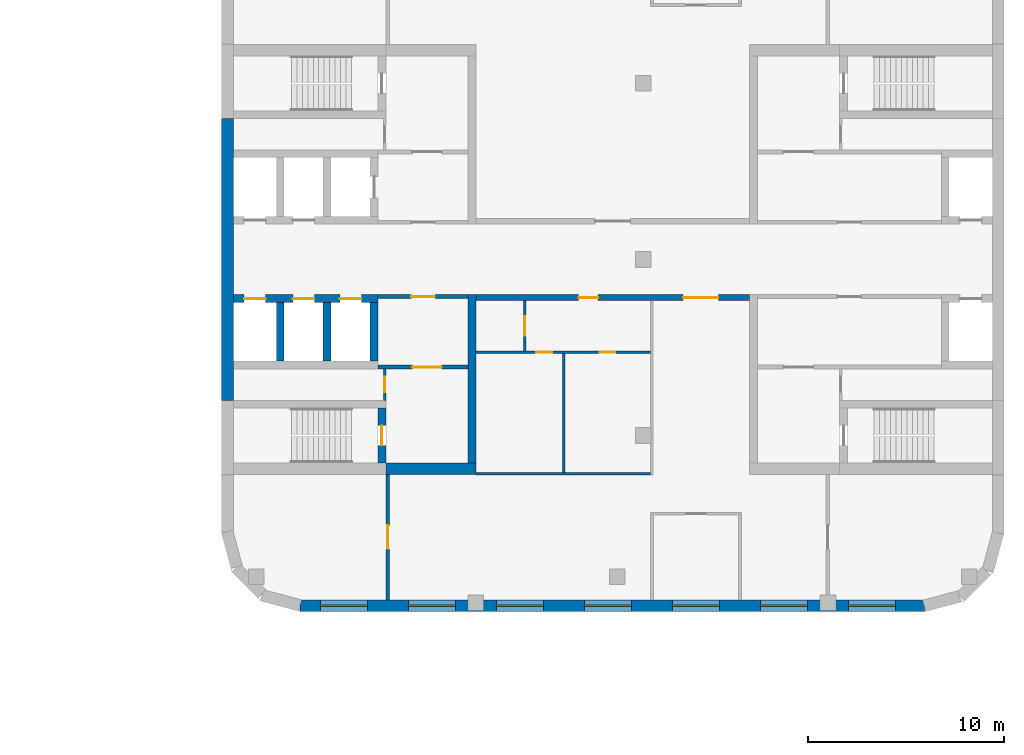
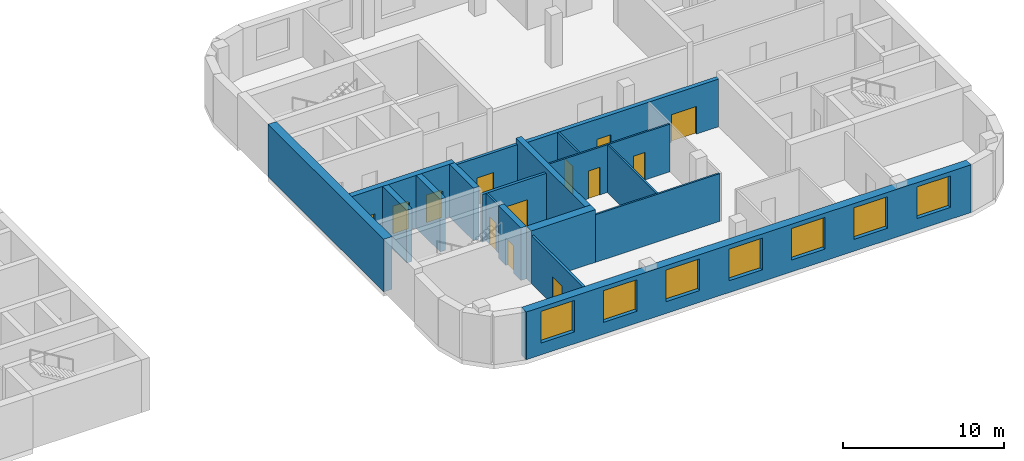
# One storey, part 7 of 12: 18 walls, 13 doors, 7 windows, 20 openings.
"""IFC4 building model written with IfcOpenShell, lengths in metres."""

from ifc_helpers import new_model, si_unit, direction, frame, frame_2d, origin, place, context, subcontext, project, spatial, rectangle, extrude, material, layer, layer_set, type_object, element, fill, save


model = new_model("IFC4")

# Units and contexts
model_context = context("Model", 3, precision=1e-05, world=origin(), true_north=direction((0.0, 1.0)))
body_context = subcontext(model_context, "Body", "Model", "MODEL_VIEW")
ifc_project = project(units=[si_unit("LENGTHUNIT", "METRE"), si_unit("AREAUNIT", "SQUARE_METRE"), si_unit("VOLUMEUNIT", "CUBIC_METRE"), si_unit("PLANEANGLEUNIT", "RADIAN"), si_unit("MASSUNIT", "GRAM", prefix="KILO")], contexts=[model_context])

# Site, building, storey
site_placement = place(None, origin())
site = spatial("IfcSite", under=ifc_project, at=site_placement, CompositionType="ELEMENT")
building_placement = place(site_placement, origin())
building = spatial("IfcBuilding", under=site, at=building_placement, Name="Skarvind Civic Tower", CompositionType="ELEMENT")
storey_placement = place(building_placement, frame((0.0, 0.0, 39.5)))
storey = spatial("IfcBuildingStorey", under=building, at=storey_placement, Name="L08", CompositionType="ELEMENT", Elevation=39.5)

# Wall, opening, door
ifc_material_1 = material(Name="Acoustic gypsum board on steel studs", Category="steel")
ifc_layer_1 = layer(ifc_material_1, 0.175048828125)
ifc_layer_set_1 = layer_set([ifc_layer_1], Name="ACOUSTIC MEETING-ROOM PARTITION 175")
wall_type_1 = type_object("IfcWallType", Name="ACOUSTIC MEETING-ROOM PARTITION 175", PredefinedType="PARTITIONING", material=ifc_layer_set_1)
wall_1_placement = place(storey_placement, frame((135.5, 117.0, 0.0), z_axis=(0.0, 0.0, 1.0), x_axis=(0.0, -1.0, 0.0)))
wall_1 = element("IfcWall", 1, at=wall_1_placement, inside=storey, type_object=wall_type_1, Name="Partition 08.001", PredefinedType="PARTITIONING", context=body_context, shape_type="SweptSolid", body=[
    extrude(rectangle(XDim=6.39990234375, YDim=0.175048828125, at=frame_2d((3.199951171875, 0.0))), origin(), (0.0, 0.0, 1.0), 3.625),
])
opening_1_placement = place(wall_1_placement, frame((2.60009765625, 0.0, 0.0)))
opening_1 = element("IfcOpeningElement", 2, at=opening_1_placement, cuts=wall_1, Name="Opening L08-D111", PredefinedType="OPENING", context=body_context, shape_type="SweptSolid", body=[
    extrude(rectangle(XDim=1.199951171875, YDim=2.10009765625, at=frame_2d((0.60009765625, 1.050048828125))), frame((0.0, 0.097412109375, 0.0), z_axis=(0.0, -1.0, 0.0), x_axis=(1.0, 0.0, 0.0)), (0.0, 0.0, 1.0), 0.195068359375),
])
ifc_material_2 = material(Name="Timber door leaf", Category="wood")
door_type_1 = type_object("IfcDoorType", Name="DOOR 1200X2100 DOUBLE TIMBER", OperationType="NOTDEFINED", PredefinedType="DOOR", material=ifc_material_2)
door_1_placement = place(opening_1_placement, origin())
door_1 = element("IfcDoor", 3, at=door_1_placement, inside=storey, type_object=door_type_1, Name="Door L08-D111", OperationType="DOUBLE_DOOR_SINGLE_SWING", OverallHeight=2.10009765625, OverallWidth=1.199951171875, PredefinedType="DOOR", context=body_context, shape_type="SweptSolid", body=[
    extrude(rectangle(XDim=1.199951171875, YDim=2.10009765625, at=frame_2d((0.60009765625, 1.050048828125))), frame((0.0, 0.02490234375, 0.0), z_axis=(0.0, -1.0, 0.0), x_axis=(1.0, 0.0, 0.0)), (0.0, 0.0, 1.0), 0.050048828125),
])
fill(opening_1, door_1)

# Wall, openings, doors
ifc_material_3 = material(Name="Fire-rated gypsum board on steel studs", Category="steel")
ifc_layer_2 = layer(ifc_material_3, 0.300048828125)
ifc_layer_set_2 = layer_set([ifc_layer_2], Name="CORRIDOR WALL 300")
wall_type_2 = type_object("IfcWallType", Name="CORRIDOR WALL 300", PredefinedType="PARTITIONING", material=ifc_layer_set_2)
wall_2_placement = place(storey_placement, frame((154.0, 126.050048828125, 0.0), z_axis=(0.0, 0.0, 1.0), x_axis=(-1.0, 0.0, 0.0)))
wall_2 = element("IfcWall", 4, at=wall_2_placement, inside=storey, type_object=wall_type_2, Name="Partition 08.015", PredefinedType="PARTITIONING", context=body_context, shape_type="SweptSolid", body=[
    extrude(rectangle(XDim=14.0, YDim=0.300048828125, at=frame_2d((7.0, 0.0))), origin(), (0.0, 0.0, 1.0), 3.625),
])
opening_2_placement = place(wall_2_placement, frame((7.75, 0.0, 0.0)))
opening_2 = element("IfcOpeningElement", 5, at=opening_2_placement, cuts=wall_2, Name="Opening L08-D105", PredefinedType="OPENING", context=body_context, shape_type="SweptSolid", body=[
    extrude(rectangle(XDim=1.0, YDim=2.10009765625, at=frame_2d((0.5, 1.050048828125))), frame((0.0, 0.159912109375, 0.0), z_axis=(0.0, -1.0, 0.0), x_axis=(1.0, 0.0, 0.0)), (0.0, 0.0, 1.0), 0.320068359375),
])
opening_3_placement = place(wall_2_placement, frame((1.60009765625, 0.0, 0.0)))
opening_3 = element("IfcOpeningElement", 6, at=opening_3_placement, cuts=wall_2, Name="Opening L08-D109", PredefinedType="OPENING", context=body_context, shape_type="SweptSolid", body=[
    extrude(rectangle(XDim=1.800048828125, YDim=2.10009765625, at=frame_2d((0.89990234375, 1.050048828125))), frame((0.0, 0.159912109375, 0.0), z_axis=(0.0, -1.0, 0.0), x_axis=(1.0, 0.0, 0.0)), (0.0, 0.0, 1.0), 0.320068359375),
])
ifc_material_4 = material(Name="Fire-rated timber door leaf", Category="wood")
door_type_2 = type_object("IfcDoorType", Name="FD1 1000x2100", OperationType="NOTDEFINED", PredefinedType="DOOR", material=ifc_material_4)
door_2_placement = place(opening_2_placement, origin())
door_2 = element("IfcDoor", 7, at=door_2_placement, inside=storey, type_object=door_type_2, Name="Door L08-D105", OperationType="SINGLE_SWING_RIGHT", OverallHeight=2.10009765625, OverallWidth=1.0, PredefinedType="DOOR", context=body_context, shape_type="SweptSolid", body=[
    extrude(rectangle(XDim=1.0, YDim=2.10009765625, at=frame_2d((0.5, 1.050048828125))), frame((0.0, 0.02490234375, 0.0), z_axis=(0.0, -1.0, 0.0), x_axis=(1.0, 0.0, 0.0)), (0.0, 0.0, 1.0), 0.050048828125),
])
fill(opening_2, door_2)
door_type_3 = type_object("IfcDoorType", Name="FD4 1800x2100", OperationType="NOTDEFINED", PredefinedType="DOOR", material=ifc_material_4)
door_3_placement = place(opening_3_placement, origin())
door_3 = element("IfcDoor", 8, at=door_3_placement, inside=storey, type_object=door_type_3, Name="Door L08-D109", OperationType="DOUBLE_DOOR_SINGLE_SWING", OverallHeight=2.10009765625, OverallWidth=1.800048828125, PredefinedType="DOOR", context=body_context, shape_type="SweptSolid", body=[
    extrude(rectangle(XDim=1.800048828125, YDim=2.10009765625, at=frame_2d((0.89990234375, 1.050048828125))), frame((0.0, 0.02490234375, 0.0), z_axis=(0.0, -1.0, 0.0), x_axis=(1.0, 0.0, 0.0)), (0.0, 0.0, 1.0), 0.050048828125),
])
fill(opening_3, door_3)

# Wall, opening, door
ifc_material_5 = material(Name="Fire-rated masonry partition", Category="masonry")
ifc_layer_3 = layer(ifc_material_5, 0.199951171875)
ifc_layer_set_3 = layer_set([ifc_layer_3], Name="Core enclosure wall 200")
wall_type_3 = type_object("IfcWallType", Name="Core enclosure wall 200", PredefinedType="PARTITIONING", material=ifc_layer_set_3)
wall_3_placement = place(storey_placement, frame((139.60009765625, 126.10009765625, 0.0), z_axis=(0.0, 0.0, 1.0), x_axis=(-1.0, 0.0, 0.0)))
wall_3 = element("IfcWall", 9, at=wall_3_placement, inside=storey, type_object=wall_type_3, Name="Core wall CA", PredefinedType="PARTITIONING", context=body_context, shape_type="SweptSolid", body=[
    extrude(rectangle(XDim=4.60009765625, YDim=0.199951171875, at=frame_2d((2.300048828125, 0.0))), origin(), (0.0, 0.0, 1.0), 3.625),
])
opening_4_placement = place(wall_3_placement, frame((1.699951171875, 0.0, 0.0)))
opening_4 = element("IfcOpeningElement", 10, at=opening_4_placement, cuts=wall_3, Name="Opening D-L08-CA-10", PredefinedType="OPENING", context=body_context, shape_type="SweptSolid", body=[
    extrude(rectangle(XDim=1.199951171875, YDim=2.10009765625, at=frame_2d((0.60009765625, 1.050048828125))), frame((0.0, 0.10986328125, 0.0), z_axis=(0.0, -1.0, 0.0), x_axis=(1.0, 0.0, 0.0)), (0.0, 0.0, 1.0), 0.219970703125),
])
ifc_material_6 = material(Name="Fire-rated steel door", Category="steel")
door_type_4 = type_object("IfcDoorType", Name="Core lobby door 1200", OperationType="NOTDEFINED", PredefinedType="DOOR", material=ifc_material_6)
door_4_placement = place(opening_4_placement, origin())
door_4 = element("IfcDoor", 11, at=door_4_placement, inside=storey, type_object=door_type_4, Name="Fire door", OperationType="DOUBLE_DOOR_SINGLE_SWING", OverallHeight=2.10009765625, OverallWidth=1.199951171875, PredefinedType="DOOR", context=body_context, shape_type="SweptSolid", body=[
    extrude(rectangle(XDim=1.199951171875, YDim=2.10009765625, at=frame_2d((0.60009765625, 1.050048828125))), frame((0.0, 0.02490234375, 0.0), z_axis=(0.0, -1.0, 0.0), x_axis=(1.0, 0.0, 0.0)), (0.0, 0.0, 1.0), 0.050048828125),
])
fill(opening_4, door_4)

wall_4_placement = place(storey_placement, frame((139.60009765625, 122.5, 0.0), z_axis=(0.0, 0.0, 1.0), x_axis=(-1.0, 0.0, 0.0)))
wall_4 = element("IfcWall", 12, at=wall_4_placement, inside=storey, type_object=wall_type_3, Name="Core wall CA", PredefinedType="PARTITIONING", context=body_context, shape_type="SweptSolid", body=[
    extrude(rectangle(XDim=4.60009765625, YDim=0.199951171875, at=frame_2d((2.300048828125, 0.0))), origin(), (0.0, 0.0, 1.0), 3.625),
])
opening_5_placement = place(wall_4_placement, frame((1.35009765625, 0.0, 0.0)))
opening_5 = element("IfcOpeningElement", 13, at=opening_5_placement, cuts=wall_4, Name="Opening D-L08-CA-11", PredefinedType="OPENING", context=body_context, shape_type="SweptSolid", body=[
    extrude(rectangle(XDim=1.5, YDim=2.10009765625, at=frame_2d((0.75, 1.050048828125))), frame((0.0, 0.10986328125, 0.0), z_axis=(0.0, -1.0, 0.0), x_axis=(1.0, 0.0, 0.0)), (0.0, 0.0, 1.0), 0.219970703125),
])
door_type_5 = type_object("IfcDoorType", Name="Fire door 1500", OperationType="NOTDEFINED", PredefinedType="DOOR", material=ifc_material_6)
door_5_placement = place(opening_5_placement, origin())
door_5 = element("IfcDoor", 14, at=door_5_placement, inside=storey, type_object=door_type_5, Name="Fire door", OperationType="DOUBLE_DOOR_SINGLE_SWING", OverallHeight=2.10009765625, OverallWidth=1.5, PredefinedType="DOOR", context=body_context, shape_type="SweptSolid", body=[
    extrude(rectangle(XDim=1.5, YDim=2.10009765625, at=frame_2d((0.75, 1.050048828125))), frame((0.0, 0.02490234375, 0.0), z_axis=(0.0, -1.0, 0.0), x_axis=(1.0, 0.0, 0.0)), (0.0, 0.0, 1.0), 0.050048828125),
])
fill(opening_5, door_5)

ifc_material_7 = material(Name="Concrete C80", Category="concrete")
ifc_layer_4 = layer(ifc_material_7, 0.39990234375)
ifc_layer_set_4 = layer_set([ifc_layer_4], Name="Core wall 400 C80")
wall_type_4 = type_object("IfcWallType", Name="Core wall 400 C80", PredefinedType="SHEAR", material=ifc_layer_set_4)
wall_5_placement = place(storey_placement, frame((135.199951171875, 117.60009765625, 0.0), z_axis=(0.0, 0.0, 1.0), x_axis=(0.0, 1.0, 0.0)))
wall_5 = element("IfcWall", 15, at=wall_5_placement, inside=storey, type_object=wall_type_4, Name="Core wall CA south stair end L08", PredefinedType="SHEAR", context=body_context, shape_type="SweptSolid", body=[
    extrude(rectangle(XDim=2.7998046875, YDim=0.39990234375, at=frame_2d((1.39990234375, 0.0))), origin(), (0.0, 0.0, 1.0), 4.0),
])
opening_6_placement = place(wall_5_placement, frame((0.89990234375, 0.0, 0.0)))
opening_6 = element("IfcOpeningElement", 16, at=opening_6_placement, cuts=wall_5, Name="Opening D-L08-CA-12", PredefinedType="OPENING", context=body_context, shape_type="SweptSolid", body=[
    extrude(rectangle(XDim=1.0, YDim=2.10009765625, at=frame_2d((0.5, 1.050048828125))), frame((0.0, 0.2099609375, 0.0), z_axis=(0.0, -1.0, 0.0), x_axis=(1.0, 0.0, 0.0)), (0.0, 0.0, 1.0), 0.419921875),
])
door_type_6 = type_object("IfcDoorType", Name="Fire door 1000", OperationType="NOTDEFINED", PredefinedType="DOOR", material=ifc_material_6)
door_6_placement = place(opening_6_placement, origin())
door_6 = element("IfcDoor", 17, at=door_6_placement, inside=storey, type_object=door_type_6, Name="Fire door", OperationType="SINGLE_SWING_RIGHT", OverallHeight=2.10009765625, OverallWidth=1.0, PredefinedType="DOOR", context=body_context, shape_type="SweptSolid", body=[
    extrude(rectangle(XDim=1.0, YDim=2.10009765625, at=frame_2d((0.5, 1.050048828125))), frame((0.0, 0.02490234375, 0.0), z_axis=(0.0, -1.0, 0.0), x_axis=(1.0, 0.0, 0.0)), (0.0, 0.0, 1.0), 0.050048828125),
])
fill(opening_6, door_6)

# Wall, openings, doors
wall_6_placement = place(storey_placement, frame((127.60009765625, 126.0, 0.0), z_axis=(0.0, 0.0, 1.0), x_axis=(1.0, 0.0, 0.0)))
wall_6 = element("IfcWall", 18, at=wall_6_placement, inside=storey, type_object=wall_type_4, Name="Core wall CA south lift row front L08", PredefinedType="SHEAR", context=body_context, shape_type="SweptSolid", body=[
    extrude(rectangle(XDim=7.39990234375, YDim=0.39990234375, at=frame_2d((3.699951171875, 0.0))), origin(), (0.0, 0.0, 1.0), 4.0),
])
opening_7_placement = place(wall_6_placement, frame((0.550048828125, 0.0, 0.0)))
opening_7 = element("IfcOpeningElement", 19, at=opening_7_placement, cuts=wall_6, Name="Opening LD10304", PredefinedType="OPENING", context=body_context, shape_type="SweptSolid", body=[
    extrude(rectangle(XDim=1.10009765625, YDim=2.10009765625, at=frame_2d((0.550048828125, 1.050048828125))), frame((0.0, 0.2099609375, 0.0), z_axis=(0.0, -1.0, 0.0), x_axis=(1.0, 0.0, 0.0)), (0.0, 0.0, 1.0), 0.419921875),
])
opening_8_placement = place(wall_6_placement, frame((3.050048828125, 0.0, 0.0)))
opening_8 = element("IfcOpeningElement", 20, at=opening_8_placement, cuts=wall_6, Name="Opening LD10305", PredefinedType="OPENING", context=body_context, shape_type="SweptSolid", body=[
    extrude(rectangle(XDim=1.10009765625, YDim=2.10009765625, at=frame_2d((0.550048828125, 1.050048828125))), frame((0.0, 0.2099609375, 0.0), z_axis=(0.0, -1.0, 0.0), x_axis=(1.0, 0.0, 0.0)), (0.0, 0.0, 1.0), 0.419921875),
])
opening_9_placement = place(wall_6_placement, frame((5.449951171875, 0.0, 0.0)))
opening_9 = element("IfcOpeningElement", 21, at=opening_9_placement, cuts=wall_6, Name="Opening LD10306", PredefinedType="OPENING", context=body_context, shape_type="SweptSolid", body=[
    extrude(rectangle(XDim=1.10009765625, YDim=2.10009765625, at=frame_2d((0.550048828125, 1.050048828125))), frame((0.0, 0.2099609375, 0.0), z_axis=(0.0, -1.0, 0.0), x_axis=(1.0, 0.0, 0.0)), (0.0, 0.0, 1.0), 0.419921875),
])
ifc_material_8 = material(Name="Stainless steel landing door", Category="steel")
door_type_7 = type_object("IfcDoorType", Name="Lift landing door 1100", OperationType="DOUBLE_DOOR_SLIDING", PredefinedType="DOOR", material=ifc_material_8)
door_7_placement = place(opening_7_placement, origin())
door_7 = element("IfcDoor", 22, at=door_7_placement, inside=storey, type_object=door_type_7, Name="Lift landing door", OperationType="DOUBLE_DOOR_SLIDING", OverallHeight=2.10009765625, OverallWidth=1.10009765625, PredefinedType="DOOR", context=body_context, shape_type="SweptSolid", body=[
    extrude(rectangle(XDim=1.10009765625, YDim=2.10009765625, at=frame_2d((0.550048828125, 1.050048828125))), frame((0.0, 0.02490234375, 0.0), z_axis=(0.0, -1.0, 0.0), x_axis=(1.0, 0.0, 0.0)), (0.0, 0.0, 1.0), 0.050048828125),
])
fill(opening_7, door_7)
door_8_placement = place(opening_8_placement, origin())
door_8 = element("IfcDoor", 23, at=door_8_placement, inside=storey, type_object=door_type_7, Name="Lift landing door", OperationType="DOUBLE_DOOR_SLIDING", OverallHeight=2.10009765625, OverallWidth=1.10009765625, PredefinedType="DOOR", context=body_context, shape_type="SweptSolid", body=[
    extrude(rectangle(XDim=1.10009765625, YDim=2.10009765625, at=frame_2d((0.550048828125, 1.050048828125))), frame((0.0, 0.02490234375, 0.0), z_axis=(0.0, -1.0, 0.0), x_axis=(1.0, 0.0, 0.0)), (0.0, 0.0, 1.0), 0.050048828125),
])
fill(opening_8, door_8)
door_9_placement = place(opening_9_placement, origin())
door_9 = element("IfcDoor", 24, at=door_9_placement, inside=storey, type_object=door_type_7, Name="Lift landing door", OperationType="DOUBLE_DOOR_SLIDING", OverallHeight=2.10009765625, OverallWidth=1.10009765625, PredefinedType="DOOR", context=body_context, shape_type="SweptSolid", body=[
    extrude(rectangle(XDim=1.10009765625, YDim=2.10009765625, at=frame_2d((0.550048828125, 1.050048828125))), frame((0.0, 0.02490234375, 0.0), z_axis=(0.0, -1.0, 0.0), x_axis=(1.0, 0.0, 0.0)), (0.0, 0.0, 1.0), 0.050048828125),
])
fill(opening_9, door_9)

# Walls
for number, where, z_axis, x_axis, name in (
    (25, (130.0, 122.800048828125, 0.0), (0.0, 0.0, 1.0), (0.0, 1.0, 0.0), "Core wall CA south lift row division 1 L08"),
    (26, (132.39990234375, 122.800048828125, 0.0), (0.0, 0.0, 1.0), (0.0, 1.0, 0.0), "Core wall CA south lift row division 2 L08"),
    (27, (134.800048828125, 122.800048828125, 0.0), (0.0, 0.0, 1.0), (0.0, 1.0, 0.0), "Core wall CA south lift row division 3 L08"),
):
    element("IfcWall", number, at=place(storey_placement, frame(where, z_axis=z_axis, x_axis=x_axis)), inside=storey, type_object=wall_type_4, Name=name, PredefinedType="SHEAR", context=body_context, shape_type="SweptSolid", body=[
        extrude(rectangle(XDim=3.0, YDim=0.39990234375, at=frame_2d((1.5, 0.0))), origin(), (0.0, 0.0, 1.0), 4.0),
    ])
wall_7_placement = place(storey_placement, frame((139.800048828125, 117.60009765625, 0.0), z_axis=(0.0, 0.0, 1.0), x_axis=(0.0, 1.0, 0.0)))
element("IfcWall", 28, at=wall_7_placement, inside=storey, type_object=wall_type_4, Name="Core wall CA south inner face L08", PredefinedType="SHEAR", context=body_context, shape_type="SweptSolid", body=[
    extrude(rectangle(XDim=8.599853515625, YDim=0.39990234375, at=frame_2d((4.2998046875, 0.0))), origin(), (0.0, 0.0, 1.0), 4.0),
])
ifc_layer_5 = layer(ifc_material_7, 0.60009765625)
ifc_layer_set_5 = layer_set([ifc_layer_5], Name="Core wall 600 C80")
wall_type_5 = type_object("IfcWallType", Name="Core wall 600 C80", PredefinedType="SHEAR", material=ifc_layer_set_5)
wall_8_placement = place(storey_placement, frame((127.300048828125, 120.800048828125, 0.0), z_axis=(0.0, 0.0, 1.0), x_axis=(0.0, 1.0, 0.0)))
element("IfcWall", 29, at=wall_8_placement, inside=storey, type_object=wall_type_5, Name="Core wall CA tip between the stairs L08", PredefinedType="SHEAR", context=body_context, shape_type="SweptSolid", body=[
    extrude(rectangle(XDim=14.39990234375, YDim=0.60009765625, at=frame_2d((7.199951171875, 0.0))), origin(), (0.0, 0.0, 1.0), 4.0),
])
wall_9_placement = place(storey_placement, frame((135.39990234375, 117.300048828125, 0.0), z_axis=(0.0, 0.0, 1.0), x_axis=(1.0, 0.0, 0.0)))
element("IfcWall", 30, at=wall_9_placement, inside=storey, type_object=wall_type_5, Name="Core wall CA south side L08", PredefinedType="SHEAR", context=body_context, shape_type="SweptSolid", body=[
    extrude(rectangle(XDim=4.60009765625, YDim=0.60009765625, at=frame_2d((2.300048828125, 0.0))), origin(), (0.0, 0.0, 1.0), 4.0),
])

# Wall, opening, door
ifc_layer_6 = layer(ifc_material_5, 0.125)
ifc_layer_set_6 = layer_set([ifc_layer_6], Name="Riser wall 125")
wall_type_6 = type_object("IfcWallType", Name="Riser wall 125", PredefinedType="PARTITIONING", material=ifc_layer_set_6)
wall_10_placement = place(storey_placement, frame((135.33740234375, 122.39990234375, 0.0), z_axis=(0.0, 0.0, 1.0), x_axis=(0.0, -1.0, 0.0)))
wall_10 = element("IfcWall", 31, at=wall_10_placement, inside=storey, type_object=wall_type_6, Name="Core wall CA", PredefinedType="PARTITIONING", context=body_context, shape_type="SweptSolid", body=[
    extrude(rectangle(XDim=1.599853515625, YDim=0.125, at=frame_2d((0.7998046875, 0.0))), origin(), (0.0, 0.0, 1.0), 3.625),
])
opening_10_placement = place(wall_10_placement, frame((0.39990234375, 0.0, 0.0)))
opening_10 = element("IfcOpeningElement", 32, at=opening_10_placement, cuts=wall_10, Name="Opening D-L08-CA-13", PredefinedType="OPENING", context=body_context, shape_type="SweptSolid", body=[
    extrude(rectangle(XDim=0.800048828125, YDim=2.10009765625, at=frame_2d((0.39990234375, 1.050048828125))), frame((0.0, 0.072509765625, 0.0), z_axis=(0.0, -1.0, 0.0), x_axis=(1.0, 0.0, 0.0)), (0.0, 0.0, 1.0), 0.14501953125),
])
door_type_8 = type_object("IfcDoorType", Name="Core riser door 800", OperationType="NOTDEFINED", PredefinedType="DOOR", material=ifc_material_6)
door_10_placement = place(opening_10_placement, origin())
door_10 = element("IfcDoor", 33, at=door_10_placement, inside=storey, type_object=door_type_8, Name="Riser door", OperationType="SINGLE_SWING_LEFT", OverallHeight=2.10009765625, OverallWidth=0.800048828125, PredefinedType="DOOR", context=body_context, shape_type="SweptSolid", body=[
    extrude(rectangle(XDim=0.800048828125, YDim=2.10009765625, at=frame_2d((0.39990234375, 1.050048828125))), frame((0.0, 0.02490234375, 0.0), z_axis=(0.0, -1.0, 0.0), x_axis=(1.0, 0.0, 0.0)), (0.0, 0.0, 1.0), 0.050048828125),
])
fill(opening_10, door_10)

# Wall
ifc_material_9 = material(Name="Moisture-resistant gypsum board on steel studs", Category="steel")
ifc_layer_7 = layer(ifc_material_9, 0.125)
ifc_layer_set_7 = layer_set([ifc_layer_7], Name="WC PARTITION 125")
wall_type_7 = type_object("IfcWallType", Name="WC PARTITION 125", PredefinedType="PARTITIONING", material=ifc_layer_set_7)
wall_11_placement = place(storey_placement, frame((140.0, 117.050048828125, 0.0), z_axis=(0.0, 0.0, 1.0), x_axis=(1.0, 0.0, 0.0)))
element("IfcWall", 34, at=wall_11_placement, inside=storey, type_object=wall_type_7, Name="Partition 08.003", PredefinedType="PARTITIONING", context=body_context, shape_type="SweptSolid", body=[
    extrude(rectangle(XDim=8.93798828125, YDim=0.125, at=frame_2d((4.468994140625, 0.0))), origin(), (0.0, 0.0, 1.0), 3.625),
])

# Wall, openings, doors
wall_12_placement = place(storey_placement, frame((148.93798828125, 123.25, 0.0), z_axis=(0.0, 0.0, 1.0), x_axis=(-1.0, 0.0, 0.0)))
wall_12 = element("IfcWall", 35, at=wall_12_placement, inside=storey, type_object=wall_type_7, Name="Partition 08.004", PredefinedType="PARTITIONING", context=body_context, shape_type="SweptSolid", body=[
    extrude(rectangle(XDim=8.93798828125, YDim=0.125, at=frame_2d((4.468994140625, 0.0))), origin(), (0.0, 0.0, 1.0), 3.625),
])
opening_11_placement = place(wall_12_placement, frame((1.80908203125, 0.0, 0.0)))
opening_11 = element("IfcOpeningElement", 36, at=opening_11_placement, cuts=wall_12, Name="Opening L08-D107", PredefinedType="OPENING", context=body_context, shape_type="SweptSolid", body=[
    extrude(rectangle(XDim=0.800048828125, YDim=2.10009765625, at=frame_2d((0.39990234375, 1.050048828125))), frame((0.0, 0.072509765625, 0.0), z_axis=(0.0, -1.0, 0.0), x_axis=(1.0, 0.0, 0.0)), (0.0, 0.0, 1.0), 0.14501953125),
])
opening_12_placement = place(wall_12_placement, frame((5.03955078125, 0.0, 0.0)))
opening_12 = element("IfcOpeningElement", 37, at=opening_12_placement, cuts=wall_12, Name="Opening L08-D108", PredefinedType="OPENING", context=body_context, shape_type="SweptSolid", body=[
    extrude(rectangle(XDim=0.800048828125, YDim=2.10009765625, at=frame_2d((0.39990234375, 1.050048828125))), frame((0.0, 0.072509765625, 0.0), z_axis=(0.0, -1.0, 0.0), x_axis=(1.0, 0.0, 0.0)), (0.0, 0.0, 1.0), 0.14501953125),
])
door_type_9 = type_object("IfcDoorType", Name="DOOR 800X2100 TIMBER", OperationType="NOTDEFINED", PredefinedType="DOOR", material=ifc_material_2)
door_11_placement = place(opening_11_placement, origin())
door_11 = element("IfcDoor", 38, at=door_11_placement, inside=storey, type_object=door_type_9, Name="Door L08-D107", OperationType="SINGLE_SWING_LEFT", OverallHeight=2.10009765625, OverallWidth=0.800048828125, PredefinedType="DOOR", context=body_context, shape_type="SweptSolid", body=[
    extrude(rectangle(XDim=0.800048828125, YDim=2.10009765625, at=frame_2d((0.39990234375, 1.050048828125))), frame((0.0, 0.02490234375, 0.0), z_axis=(0.0, -1.0, 0.0), x_axis=(1.0, 0.0, 0.0)), (0.0, 0.0, 1.0), 0.050048828125),
])
fill(opening_11, door_11)
door_12_placement = place(opening_12_placement, origin())
door_12 = element("IfcDoor", 39, at=door_12_placement, inside=storey, type_object=door_type_9, Name="Door L08-D108", OperationType="SINGLE_SWING_LEFT", OverallHeight=2.10009765625, OverallWidth=0.800048828125, PredefinedType="DOOR", context=body_context, shape_type="SweptSolid", body=[
    extrude(rectangle(XDim=0.800048828125, YDim=2.10009765625, at=frame_2d((0.39990234375, 1.050048828125))), frame((0.0, 0.02490234375, 0.0), z_axis=(0.0, -1.0, 0.0), x_axis=(1.0, 0.0, 0.0)), (0.0, 0.0, 1.0), 0.050048828125),
])
fill(opening_12, door_12)

# Wall, opening, door
wall_13_placement = place(storey_placement, frame((142.5, 123.31201171875, 0.0), z_axis=(0.0, 0.0, 1.0), x_axis=(0.0, 1.0, 0.0)))
wall_13 = element("IfcWall", 40, at=wall_13_placement, inside=storey, type_object=wall_type_7, Name="Partition 08.006", PredefinedType="PARTITIONING", context=body_context, shape_type="SweptSolid", body=[
    extrude(rectangle(XDim=2.587890625, YDim=0.125, at=frame_2d((1.2939453125, 0.0))), origin(), (0.0, 0.0, 1.0), 3.625),
])
opening_13_placement = place(wall_13_placement, frame((0.7939453125, 0.0, 0.0)))
opening_13 = element("IfcOpeningElement", 41, at=opening_13_placement, cuts=wall_13, Name="Opening L08-D106", PredefinedType="OPENING", context=body_context, shape_type="SweptSolid", body=[
    extrude(rectangle(XDim=1.0, YDim=2.10009765625, at=frame_2d((0.5, 1.050048828125))), frame((0.0, 0.072509765625, 0.0), z_axis=(0.0, -1.0, 0.0), x_axis=(1.0, 0.0, 0.0)), (0.0, 0.0, 1.0), 0.14501953125),
])
door_type_10 = type_object("IfcDoorType", Name="D1 1000x2100", OperationType="NOTDEFINED", PredefinedType="DOOR", material=ifc_material_2)
door_13_placement = place(opening_13_placement, origin())
door_13 = element("IfcDoor", 42, at=door_13_placement, inside=storey, type_object=door_type_10, Name="Door L08-D106", OperationType="SINGLE_SWING_RIGHT", OverallHeight=2.10009765625, OverallWidth=1.0, PredefinedType="DOOR", context=body_context, shape_type="SweptSolid", body=[
    extrude(rectangle(XDim=1.0, YDim=2.10009765625, at=frame_2d((0.5, 1.050048828125))), frame((0.0, 0.02490234375, 0.0), z_axis=(0.0, -1.0, 0.0), x_axis=(1.0, 0.0, 0.0)), (0.0, 0.0, 1.0), 0.050048828125),
])
fill(opening_13, door_13)

# Wall
wall_14_placement = place(storey_placement, frame((144.5, 123.18798828125, 0.0), z_axis=(0.0, 0.0, 1.0), x_axis=(0.0, -1.0, 0.0)))
element("IfcWall", 43, at=wall_14_placement, inside=storey, type_object=wall_type_7, Name="Partition 08.007", PredefinedType="PARTITIONING", context=body_context, shape_type="SweptSolid", body=[
    extrude(rectangle(XDim=6.075927734375, YDim=0.125, at=frame_2d((3.0380859375, 0.0))), origin(), (0.0, 0.0, 1.0), 3.625),
])

# Wall, openings, windows
ifc_material_10 = material(Name="Limestone masonry cladding on insulated backing", Category="masonry")
ifc_layer_8 = layer(ifc_material_10, 0.60009765625)
ifc_layer_set_8 = layer_set([ifc_layer_8], Name="WX1 STONE FACADE WALL 600")
wall_type_8 = type_object("IfcWallType", Name="WX1 STONE FACADE WALL 600", PredefinedType="SOLIDWALL", material=ifc_layer_set_8)
wall_15_placement = place(storey_placement, frame((162.929931640625, 110.300048828125, 0.0), z_axis=(0.0, 0.0, 1.0), x_axis=(-1.0, 0.0, 0.0)))
wall_15 = element("IfcWall", 44, at=wall_15_placement, inside=storey, type_object=wall_type_8, Name="STONE FACADE WALL", PredefinedType="SOLIDWALL", context=body_context, shape_type="SweptSolid", body=[
    extrude(rectangle(XDim=31.929931640625, YDim=0.60009765625, at=frame_2d((15.96484375, 0.0))), origin(), (0.0, 0.0, 1.0), 3.625),
])
opening_14_placement = place(wall_15_placement, frame((1.47998046875, 0.0, 0.89990234375)))
opening_14 = element("IfcOpeningElement", 45, at=opening_14_placement, cuts=wall_15, Name="Opening WN9", PredefinedType="OPENING", context=body_context, shape_type="SweptSolid", body=[
    extrude(rectangle(XDim=2.39990234375, YDim=2.39990234375, at=frame_2d((1.199951171875, 1.199951171875))), frame((0.0, 0.31005859375, 0.0), z_axis=(0.0, -1.0, 0.0), x_axis=(1.0, 0.0, 0.0)), (0.0, 0.0, 1.0), 0.6201171875),
])
opening_15_placement = place(wall_15_placement, frame((5.97998046875, 0.0, 0.89990234375)))
opening_15 = element("IfcOpeningElement", 46, at=opening_15_placement, cuts=wall_15, Name="Opening WN9", PredefinedType="OPENING", context=body_context, shape_type="SweptSolid", body=[
    extrude(rectangle(XDim=2.39990234375, YDim=2.39990234375, at=frame_2d((1.199951171875, 1.199951171875))), frame((0.0, 0.31005859375, 0.0), z_axis=(0.0, -1.0, 0.0), x_axis=(1.0, 0.0, 0.0)), (0.0, 0.0, 1.0), 0.6201171875),
])
opening_16_placement = place(wall_15_placement, frame((10.47998046875, 0.0, 0.89990234375)))
opening_16 = element("IfcOpeningElement", 47, at=opening_16_placement, cuts=wall_15, Name="Opening WN9", PredefinedType="OPENING", context=body_context, shape_type="SweptSolid", body=[
    extrude(rectangle(XDim=2.39990234375, YDim=2.39990234375, at=frame_2d((1.199951171875, 1.199951171875))), frame((0.0, 0.31005859375, 0.0), z_axis=(0.0, -1.0, 0.0), x_axis=(1.0, 0.0, 0.0)), (0.0, 0.0, 1.0), 0.6201171875),
])
opening_17_placement = place(wall_15_placement, frame((14.97998046875, 0.0, 0.89990234375)))
opening_17 = element("IfcOpeningElement", 48, at=opening_17_placement, cuts=wall_15, Name="Opening WN9", PredefinedType="OPENING", context=body_context, shape_type="SweptSolid", body=[
    extrude(rectangle(XDim=2.39990234375, YDim=2.39990234375, at=frame_2d((1.199951171875, 1.199951171875))), frame((0.0, 0.31005859375, 0.0), z_axis=(0.0, -1.0, 0.0), x_axis=(1.0, 0.0, 0.0)), (0.0, 0.0, 1.0), 0.6201171875),
])
opening_18_placement = place(wall_15_placement, frame((19.47998046875, 0.0, 0.89990234375)))
opening_18 = element("IfcOpeningElement", 49, at=opening_18_placement, cuts=wall_15, Name="Opening WN9", PredefinedType="OPENING", context=body_context, shape_type="SweptSolid", body=[
    extrude(rectangle(XDim=2.39990234375, YDim=2.39990234375, at=frame_2d((1.199951171875, 1.199951171875))), frame((0.0, 0.31005859375, 0.0), z_axis=(0.0, -1.0, 0.0), x_axis=(1.0, 0.0, 0.0)), (0.0, 0.0, 1.0), 0.6201171875),
])
opening_19_placement = place(wall_15_placement, frame((23.97998046875, 0.0, 0.89990234375)))
opening_19 = element("IfcOpeningElement", 50, at=opening_19_placement, cuts=wall_15, Name="Opening WN9", PredefinedType="OPENING", context=body_context, shape_type="SweptSolid", body=[
    extrude(rectangle(XDim=2.39990234375, YDim=2.39990234375, at=frame_2d((1.199951171875, 1.199951171875))), frame((0.0, 0.31005859375, 0.0), z_axis=(0.0, -1.0, 0.0), x_axis=(1.0, 0.0, 0.0)), (0.0, 0.0, 1.0), 0.6201171875),
])
opening_20_placement = place(wall_15_placement, frame((28.47998046875, 0.0, 0.89990234375)))
opening_20 = element("IfcOpeningElement", 51, at=opening_20_placement, cuts=wall_15, Name="Opening WN9", PredefinedType="OPENING", context=body_context, shape_type="SweptSolid", body=[
    extrude(rectangle(XDim=2.39990234375, YDim=2.39990234375, at=frame_2d((1.199951171875, 1.199951171875))), frame((0.0, 0.31005859375, 0.0), z_axis=(0.0, -1.0, 0.0), x_axis=(1.0, 0.0, 0.0)), (0.0, 0.0, 1.0), 0.6201171875),
])
ifc_material_11 = material(Name="Timber frame, double glazing, timber-lined reveal", Category="wood")
window_type = type_object("IfcWindowType", Name="WN9 COMPANION TOWER WINDOW 2400 x 2400", PartitioningType="SINGLE_PANEL", PredefinedType="WINDOW", material=ifc_material_11)
window_1_placement = place(opening_14_placement, origin())
window_1 = element("IfcWindow", 52, at=window_1_placement, inside=storey, type_object=window_type, Name="WN9 WINDOW", OverallHeight=2.39990234375, OverallWidth=2.39990234375, PartitioningType="SINGLE_PANEL", PredefinedType="WINDOW", context=body_context, shape_type="SweptSolid", body=[
    extrude(rectangle(XDim=2.39990234375, YDim=2.39990234375, at=frame_2d((1.199951171875, 1.199951171875))), frame((0.0, 0.030029296875, 0.0), z_axis=(0.0, -1.0, 0.0), x_axis=(1.0, 0.0, 0.0)), (0.0, 0.0, 1.0), 0.06005859375),
])
fill(opening_14, window_1)
window_2_placement = place(opening_15_placement, origin())
window_2 = element("IfcWindow", 53, at=window_2_placement, inside=storey, type_object=window_type, Name="WN9 WINDOW", OverallHeight=2.39990234375, OverallWidth=2.39990234375, PartitioningType="SINGLE_PANEL", PredefinedType="WINDOW", context=body_context, shape_type="SweptSolid", body=[
    extrude(rectangle(XDim=2.39990234375, YDim=2.39990234375, at=frame_2d((1.199951171875, 1.199951171875))), frame((0.0, 0.030029296875, 0.0), z_axis=(0.0, -1.0, 0.0), x_axis=(1.0, 0.0, 0.0)), (0.0, 0.0, 1.0), 0.06005859375),
])
fill(opening_15, window_2)
window_3_placement = place(opening_16_placement, origin())
window_3 = element("IfcWindow", 54, at=window_3_placement, inside=storey, type_object=window_type, Name="WN9 WINDOW", OverallHeight=2.39990234375, OverallWidth=2.39990234375, PartitioningType="SINGLE_PANEL", PredefinedType="WINDOW", context=body_context, shape_type="SweptSolid", body=[
    extrude(rectangle(XDim=2.39990234375, YDim=2.39990234375, at=frame_2d((1.199951171875, 1.199951171875))), frame((0.0, 0.030029296875, 0.0), z_axis=(0.0, -1.0, 0.0), x_axis=(1.0, 0.0, 0.0)), (0.0, 0.0, 1.0), 0.06005859375),
])
fill(opening_16, window_3)
window_4_placement = place(opening_17_placement, origin())
window_4 = element("IfcWindow", 55, at=window_4_placement, inside=storey, type_object=window_type, Name="WN9 WINDOW", OverallHeight=2.39990234375, OverallWidth=2.39990234375, PartitioningType="SINGLE_PANEL", PredefinedType="WINDOW", context=body_context, shape_type="SweptSolid", body=[
    extrude(rectangle(XDim=2.39990234375, YDim=2.39990234375, at=frame_2d((1.199951171875, 1.199951171875))), frame((0.0, 0.030029296875, 0.0), z_axis=(0.0, -1.0, 0.0), x_axis=(1.0, 0.0, 0.0)), (0.0, 0.0, 1.0), 0.06005859375),
])
fill(opening_17, window_4)
window_5_placement = place(opening_18_placement, origin())
window_5 = element("IfcWindow", 56, at=window_5_placement, inside=storey, type_object=window_type, Name="WN9 WINDOW", OverallHeight=2.39990234375, OverallWidth=2.39990234375, PartitioningType="SINGLE_PANEL", PredefinedType="WINDOW", context=body_context, shape_type="SweptSolid", body=[
    extrude(rectangle(XDim=2.39990234375, YDim=2.39990234375, at=frame_2d((1.199951171875, 1.199951171875))), frame((0.0, 0.030029296875, 0.0), z_axis=(0.0, -1.0, 0.0), x_axis=(1.0, 0.0, 0.0)), (0.0, 0.0, 1.0), 0.06005859375),
])
fill(opening_18, window_5)
window_6_placement = place(opening_19_placement, origin())
window_6 = element("IfcWindow", 57, at=window_6_placement, inside=storey, type_object=window_type, Name="WN9 WINDOW", OverallHeight=2.39990234375, OverallWidth=2.39990234375, PartitioningType="SINGLE_PANEL", PredefinedType="WINDOW", context=body_context, shape_type="SweptSolid", body=[
    extrude(rectangle(XDim=2.39990234375, YDim=2.39990234375, at=frame_2d((1.199951171875, 1.199951171875))), frame((0.0, 0.030029296875, 0.0), z_axis=(0.0, -1.0, 0.0), x_axis=(1.0, 0.0, 0.0)), (0.0, 0.0, 1.0), 0.06005859375),
])
fill(opening_19, window_6)
window_7_placement = place(opening_20_placement, origin())
window_7 = element("IfcWindow", 58, at=window_7_placement, inside=storey, type_object=window_type, Name="WN9 WINDOW", OverallHeight=2.39990234375, OverallWidth=2.39990234375, PartitioningType="SINGLE_PANEL", PredefinedType="WINDOW", context=body_context, shape_type="SweptSolid", body=[
    extrude(rectangle(XDim=2.39990234375, YDim=2.39990234375, at=frame_2d((1.199951171875, 1.199951171875))), frame((0.0, 0.030029296875, 0.0), z_axis=(0.0, -1.0, 0.0), x_axis=(1.0, 0.0, 0.0)), (0.0, 0.0, 1.0), 0.06005859375),
])
fill(opening_20, window_7)

save(model, "model.ifc")
